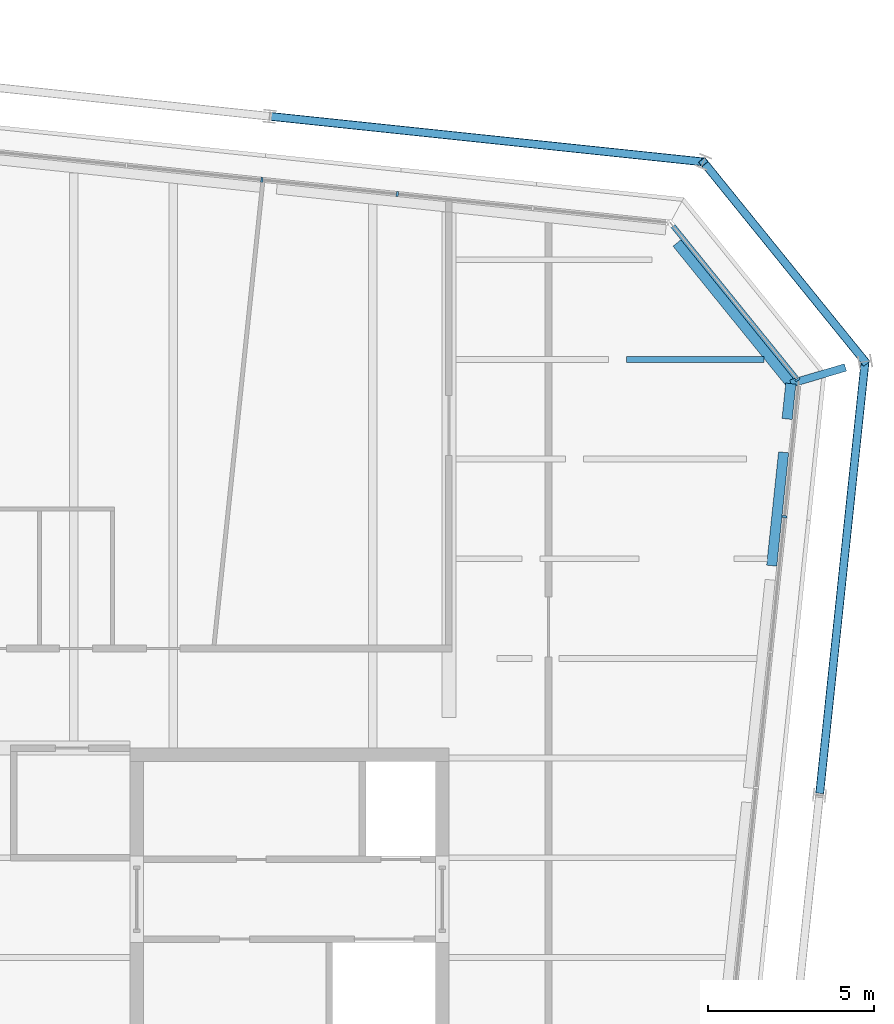
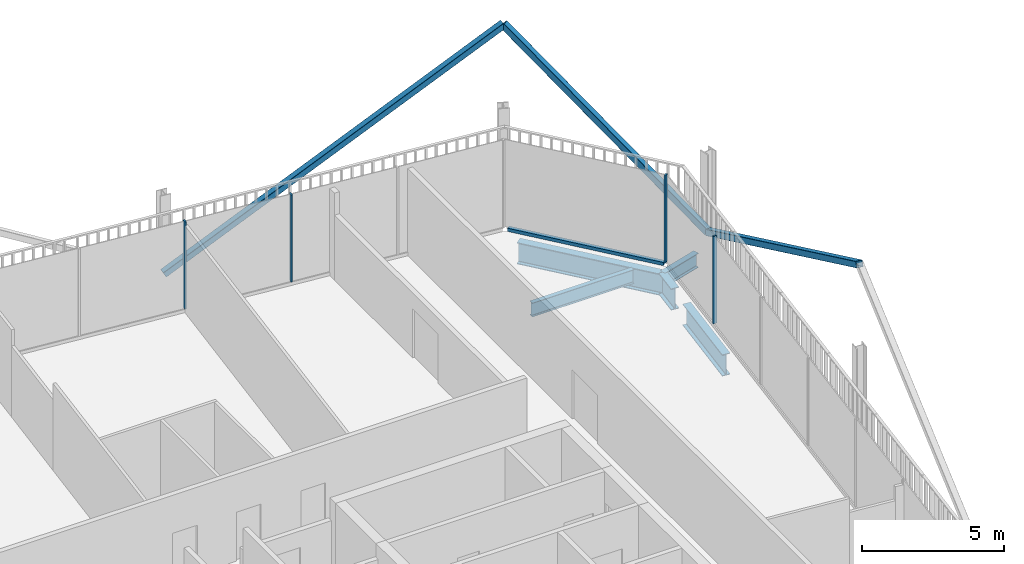
# One storey, part 15 of 21: 8 members, 5 beams, 3 elements without a shape of their own.
"""IFC4 building model written with IfcOpenShell, lengths in metres."""

from ifc_helpers import new_model, si_unit, direction, frame, origin, origin_2d, place, context, subcontext, project, spatial, rectangle, hollow_rectangle, i_section, extrude, material, layer, layer_set, material_profile, profile_set, type_object, element, aggregate, save


model = new_model("IFC4")

# Units and contexts
model_context = context("Model", 3, precision=1e-05, world=origin(), true_north=direction((0.0, 1.0)))
body_context = subcontext(model_context, "Body", "Model", "MODEL_VIEW")
ifc_project = project(units=[si_unit("LENGTHUNIT", "METRE"), si_unit("AREAUNIT", "SQUARE_METRE"), si_unit("VOLUMEUNIT", "CUBIC_METRE"), si_unit("PLANEANGLEUNIT", "RADIAN"), si_unit("MASSUNIT", "GRAM", prefix="KILO")], contexts=[model_context])

# Site, building, storey
site_placement = place(None, origin())
site = spatial("IfcSite", under=ifc_project, at=site_placement, CompositionType="ELEMENT")
building_placement = place(site_placement, origin())
building = spatial("IfcBuilding", under=site, at=building_placement, Name="Millrace Tower", CompositionType="ELEMENT")
storey_placement = place(building_placement, frame((0.0, 0.0, 276.0)))
storey = spatial("IfcBuildingStorey", under=building, at=storey_placement, Name="L63", CompositionType="ELEMENT", Elevation=276.0)

# Curtain wall, member
ifc_material_1 = material(Name="Aluminium and glass", Category="aluminium")
ifc_layer = layer(ifc_material_1, 0.14990234375)
ifc_layer_set = layer_set([ifc_layer], Name="Aluminium and glass")
curtain_wall_type = type_object("IfcCurtainWallType", Name="CW-1 office vision curtain wall", PredefinedType="NOTDEFINED", material=ifc_layer_set)
placement = place(storey_placement, origin())
curtain_wall_1 = element("IfcCurtainWall", 1, at=placement, inside=storey, type_object=curtain_wall_type, Name="Curtain wall E-F04 L63", PredefinedType="NOTDEFINED")
ifc_material_2 = material(Name="Aluminium", Category="aluminium")
ifc_material_profile_1 = material_profile(ifc_material_2, rectangle(XDim=0.06494140625, YDim=0.14990234375, at=origin_2d()))
ifc_profile_set_1 = profile_set([ifc_material_profile_1], Name="Aluminium")
member_type_1 = type_object("IfcMemberType", Name="CW-1 office vision curtain wall mullion", PredefinedType="MULLION", material=ifc_profile_set_1)
member_1_placement = place(storey_placement, frame((24.4033203125, 16.267822265625, 0.139892578125), z_axis=(0.0, 0.0, 1.0), x_axis=(0.104528455196, 0.994521896217, 0.0)))
member_1 = element("IfcMember", 2, at=member_1_placement, type_object=member_type_1, Name="CW1 mullion E-F04.9", PredefinedType="MULLION", context=body_context, shape_type="SweptSolid", body=[
    extrude(rectangle(XDim=0.06494140625, YDim=0.14990234375, at=origin_2d()), origin(), (0.0, 0.0, 1.0), 3.760009765625),
])
aggregate(curtain_wall_1, [member_1])

curtain_wall_2 = element("IfcCurtainWall", 3, at=placement, inside=storey, type_object=curtain_wall_type, Name="Curtain wall E-F05 L63", PredefinedType="NOTDEFINED")
member_2_placement = place(storey_placement, frame((24.791748046875, 20.393310546875, 0.139892578125), z_axis=(0.0, 0.0, 1.0), x_axis=(-0.629320278945, 0.777146052237, 0.0)))
member_2 = element("IfcMember", 4, at=member_2_placement, type_object=member_type_1, Name="CW1 mullion E-F05.1", PredefinedType="MULLION", context=body_context, shape_type="SweptSolid", body=[
    extrude(rectangle(XDim=0.06494140625, YDim=0.14990234375, at=origin_2d()), origin(), (0.0, 0.0, 1.0), 3.760009765625),
])

# Curtain wall, members
curtain_wall_3 = element("IfcCurtainWall", 5, at=placement, inside=storey, type_object=curtain_wall_type, Name="Curtain wall E-F06 L63", PredefinedType="NOTDEFINED")
member_3_placement = place(storey_placement, frame((12.747314453125, 25.98193359375, 0.139892578125), z_axis=(0.0, 0.0, 1.0), x_axis=(-0.994521896217, 0.104528455196, 0.0)))
member_3 = element("IfcMember", 6, at=member_3_placement, type_object=member_type_1, Name="CW1 mullion E-F06.3", PredefinedType="MULLION", context=body_context, shape_type="SweptSolid", body=[
    extrude(rectangle(XDim=0.06494140625, YDim=0.14990234375, at=origin_2d()), origin(), (0.0, 0.0, 1.0), 3.760009765625),
])
member_4_placement = place(storey_placement, frame((8.669921875, 26.410400390625, 0.139892578125), z_axis=(0.0, 0.0, 1.0), x_axis=(-0.994521896217, 0.104528455196, 0.0)))
member_4 = element("IfcMember", 7, at=member_4_placement, type_object=member_type_1, Name="CW1 mullion E-F06.4", PredefinedType="MULLION", context=body_context, shape_type="SweptSolid", body=[
    extrude(rectangle(XDim=0.06494140625, YDim=0.14990234375, at=origin_2d()), origin(), (0.0, 0.0, 1.0), 3.760009765625),
])
aggregate(curtain_wall_3, [member_3, member_4])

# Member
ifc_material_3 = material(Name="Aluminium", Category="aluminium")
ifc_material_profile_2 = material_profile(ifc_material_3, rectangle(XDim=0.14990234375, YDim=0.139892578125, at=origin_2d()))
ifc_profile_set_2 = profile_set([ifc_material_profile_2], Name="Aluminium")
member_type_2 = type_object("IfcMemberType", Name="CW-1 office vision curtain wall transom", PredefinedType="USERDEFINED", material=ifc_profile_set_2)
member_5_placement = place(storey_placement, frame((24.749267578125, 20.44580078125, 0.070068359375), z_axis=(-0.629321221277, 0.777145289151, 0.0), x_axis=(-0.777145289151, -0.629321221277, 0.0)))
member_5 = element("IfcMember", 8, at=member_5_placement, type_object=member_type_2, Name="CW1 transom E-F05.1", ObjectType="TRANSOM", PredefinedType="USERDEFINED", context=body_context, shape_type="SweptSolid", body=[
    extrude(rectangle(XDim=0.14990234375, YDim=0.139892578125, at=origin_2d()), origin(), (0.0, 0.0, 1.0), 5.881103515625),
])

aggregate(curtain_wall_2, [member_2, member_5])

# Members
ifc_material_4 = material(Name="Steel ASTM A500 Grade C", Category="steel")
ifc_material_profile_3 = material_profile(ifc_material_4, hollow_rectangle(XDim=0.25390625, YDim=0.25390625, WallThickness=0.0126953125, InnerFilletRadius=0.00634765625, OuterFilletRadius=0.01904296875, at=origin_2d()))
ifc_profile_set_3 = profile_set([ifc_material_profile_3], Name="Steel ASTM A500 Grade C")
member_type_3 = type_object("IfcMemberType", Name="Exoskeleton brace HSS10x10x1/2", PredefinedType="BRACE", material=ifc_profile_set_3)
member_6_placement = place(storey_placement, frame((26.82958984375, 20.935791015625, 0.39990234375), z_axis=(-0.092236950483, -0.877571982182, 0.470488853274), x_axis=(0.994521846076, -0.104528932251, 0.0)))
element("IfcMember", 9, at=member_6_placement, inside=storey, type_object=member_type_3, Name="BRC-E-L63-08", PredefinedType="BRACE", context=body_context, shape_type="SweptSolid", body=[
    extrude(hollow_rectangle(XDim=0.25390625, YDim=0.25390625, WallThickness=0.0126953125, InnerFilletRadius=0.00634765625, OuterFilletRadius=0.01904296875, at=origin_2d()), origin(), (0.0, 0.0, 1.0), 14.878173828125),
])
member_7_placement = place(storey_placement, frame((26.82958984375, 20.935791015625, 0.39990234375), z_axis=(-0.466694392708, 0.57631352586, 0.670864415308), x_axis=(-0.777142728993, -0.62932438279, 0.0)))
element("IfcMember", 10, at=member_7_placement, inside=storey, type_object=member_type_3, Name="BRC-E-L63-09", PredefinedType="BRACE", context=body_context, shape_type="SweptSolid", body=[
    extrude(hollow_rectangle(XDim=0.25390625, YDim=0.25390625, WallThickness=0.0126953125, InnerFilletRadius=0.00634765625, OuterFilletRadius=0.01904296875, at=origin_2d()), origin(), (0.0, 0.0, 1.0), 10.434326171875),
])
member_8_placement = place(storey_placement, frame((8.9033203125, 28.321533203125, 0.39990234375), z_axis=(0.877571982182, -0.092236950483, 0.470488853274), x_axis=(0.104528932251, 0.994521846076, 0.0)))
element("IfcMember", 11, at=member_8_placement, inside=storey, type_object=member_type_3, Name="BRC-E-L63-10", PredefinedType="BRACE", context=body_context, shape_type="SweptSolid", body=[
    extrude(hollow_rectangle(XDim=0.25390625, YDim=0.25390625, WallThickness=0.0126953125, InnerFilletRadius=0.00634765625, OuterFilletRadius=0.01904296875, at=origin_2d()), origin(), (0.0, 0.0, 1.0), 14.878173828125),
])

# Beams
ifc_material_5 = material(Name="Steel ASTM A992 Grade 50", Category="steel")
ifc_material_profile_4 = material_profile(ifc_material_5, i_section(OverallWidth=0.177978515625, OverallDepth=0.599365234375, WebThickness=0.010009765625, FlangeThickness=0.012939453125, FilletRadius=0.012939453125, at=origin_2d()))
ifc_profile_set_4 = profile_set([ifc_material_profile_4], Name="Steel ASTM A992 Grade 50")
beam_type_1 = type_object("IfcBeamType", Name="Floor beam W24x55", PredefinedType="JOIST", material=ifc_profile_set_4)
beam_1_placement = place(storey_placement, frame((19.650146484375, 21.0, -0.459716796875), z_axis=(1.0, 0.0, 0.0), x_axis=(0.0, 1.0, 0.0)))
element("IfcBeam", 12, at=beam_1_placement, inside=storey, type_object=beam_type_1, Name="BM-E-L63-S1-S032-b", PredefinedType="JOIST", context=body_context, shape_type="SweptSolid", body=[
    extrude(i_section(OverallWidth=0.177978515625, OverallDepth=0.599365234375, WebThickness=0.010009765625, FlangeThickness=0.012939453125, FilletRadius=0.012939453125, at=origin_2d()), origin(), (0.0, 0.0, 1.0), 4.142333984375),
])
ifc_material_6 = material(Name="Steel ASTM A992 Grade 50", Category="steel")
ifc_material_profile_5 = material_profile(ifc_material_6, i_section(OverallWidth=0.23046875, OverallDepth=0.6171875, WebThickness=0.01318359375, FlangeThickness=0.022216796875, FilletRadius=0.012939453125, at=origin_2d()))
ifc_profile_set_5 = profile_set([ifc_material_profile_5], Name="Steel ASTM A992 Grade 50")
beam_type_2 = type_object("IfcBeamType", Name="Link beam W24x94", PredefinedType="BEAM", material=ifc_profile_set_5)
beam_2_placement = place(storey_placement, frame((24.594482421875, 20.273681640625, -0.468505859375), z_axis=(0.958812481949, 0.284039829001, 0.0), x_axis=(-0.284039829001, 0.958812481949, 0.0)))
element("IfcBeam", 13, at=beam_2_placement, inside=storey, type_object=beam_type_2, Name="LNK-E-L63-S1-09", PredefinedType="BEAM", context=body_context, shape_type="SweptSolid", body=[
    extrude(i_section(OverallWidth=0.23046875, OverallDepth=0.6171875, WebThickness=0.01318359375, FlangeThickness=0.022216796875, FilletRadius=0.012939453125, at=origin_2d()), origin(), (0.0, 0.0, 1.0), 1.7138671875),
])
ifc_material_7 = material(Name="Steel ASTM A992 Grade 50", Category="steel")
ifc_material_profile_6 = material_profile(ifc_material_7, i_section(OverallWidth=0.307373046875, OverallDepth=0.927001953125, WebThickness=0.01953125, FlangeThickness=0.031982421875, FilletRadius=0.01904296875, at=origin_2d()))
ifc_profile_set_6 = profile_set([ifc_material_profile_6], Name="Steel ASTM A992 Grade 50")
beam_type_3 = type_object("IfcBeamType", Name="Ring beam short span W36x194", PredefinedType="SPANDREL", material=ifc_profile_set_6)
beam_3_placement = place(storey_placement, frame((21.166015625, 24.50732421875, -0.62353515625), z_axis=(0.629334873526, -0.777134233555, 0.0), x_axis=(0.777134233555, 0.629334873526, 0.0)))
element("IfcBeam", 14, at=beam_3_placement, inside=storey, type_object=beam_type_3, Name="RNG-E-L63-S1-08", PredefinedType="SPANDREL", context=body_context, shape_type="SweptSolid", body=[
    extrude(i_section(OverallWidth=0.307373046875, OverallDepth=0.927001953125, WebThickness=0.01953125, FlangeThickness=0.031982421875, FilletRadius=0.01904296875, at=origin_2d()), origin(), (0.0, 0.0, 1.0), 5.44775390625),
])
beam_4_placement = place(storey_placement, frame((24.594482421875, 20.273681640625, -0.62353515625), z_axis=(-0.104625456917, -0.994511696143, 0.0), x_axis=(0.994511696143, -0.104625456917, 0.0)))
element("IfcBeam", 15, at=beam_4_placement, inside=storey, type_object=beam_type_3, Name="RNG-E-L63-S1-09-a-a", PredefinedType="SPANDREL", context=body_context, shape_type="SweptSolid", body=[
    extrude(i_section(OverallWidth=0.307373046875, OverallDepth=0.927001953125, WebThickness=0.01953125, FlangeThickness=0.031982421875, FilletRadius=0.01904296875, at=origin_2d()), origin(), (0.0, 0.0, 1.0), 1.071044921875),
])
beam_5_placement = place(storey_placement, frame((24.377197265625, 18.205810546875, -0.62353515625), z_axis=(-0.104558895977, -0.994518696291, 0.0), x_axis=(0.994518696291, -0.104558895977, 0.0)))
element("IfcBeam", 16, at=beam_5_placement, inside=storey, type_object=beam_type_3, Name="RNG-E-L63-S1-09-a-b", PredefinedType="SPANDREL", context=body_context, shape_type="SweptSolid", body=[
    extrude(i_section(OverallWidth=0.307373046875, OverallDepth=0.927001953125, WebThickness=0.01953125, FlangeThickness=0.031982421875, FilletRadius=0.01904296875, at=origin_2d()), origin(), (0.0, 0.0, 1.0), 3.432373046875),
])

save(model, "model.ifc")
